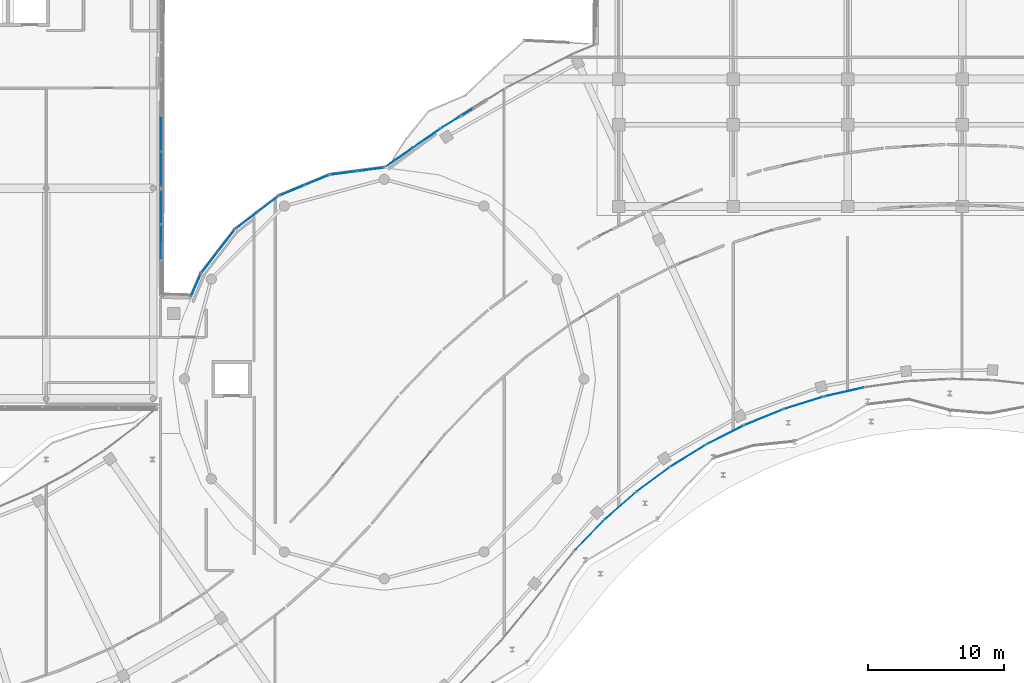
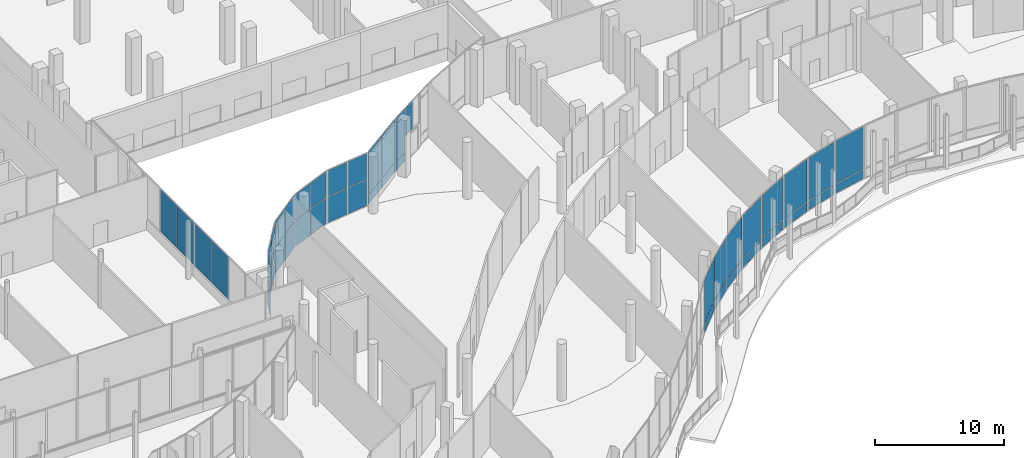
# One storey, part 126 of 158: 46 plates, 18 elements without a shape of their own.
"""IFC4 building model written with IfcOpenShell, lengths in metres."""

from ifc_helpers import new_model, si_unit, direction, frame, origin, origin_2d, place, context, subcontext, project, spatial, rectangle, extrude, material, layer, layer_set, type_object, element, aggregate, save


model = new_model("IFC4")

# Units and contexts
model_context = context("Model", 3, precision=1e-05, world=origin(), true_north=direction((0.0, 1.0)))
body_context = subcontext(model_context, "Body", "Model", "MODEL_VIEW")
ifc_project = project(units=[si_unit("LENGTHUNIT", "METRE"), si_unit("AREAUNIT", "SQUARE_METRE"), si_unit("VOLUMEUNIT", "CUBIC_METRE"), si_unit("PLANEANGLEUNIT", "RADIAN"), si_unit("MASSUNIT", "GRAM", prefix="KILO")], contexts=[model_context])

# Site, building, storey
site_placement = place(None, origin())
site = spatial("IfcSite", under=ifc_project, at=site_placement, CompositionType="ELEMENT")
building_placement = place(site_placement, origin())
building = spatial("IfcBuilding", under=site, at=building_placement, Name="Selatvlak General Hospital", CompositionType="ELEMENT")
storey_placement = place(building_placement, origin())
storey = spatial("IfcBuildingStorey", under=building, at=storey_placement, Name="L00", CompositionType="ELEMENT", Elevation=0.0)

# Curtain wall, plates
ifc_material = material(Name="Solar-control Low-E double glazing", Category="glass")
curtain_wall_type_1 = type_object("IfcCurtainWallType", Name="CW-CW-02", PredefinedType="USERDEFINED", material=ifc_material)
curtain_wall_1_placement = place(storey_placement, origin())
curtain_wall_1 = element("IfcCurtainWall", 1, at=curtain_wall_1_placement, inside=storey, type_object=curtain_wall_type_1, Name="Glazed facade curtain wall CW-L00-0034", ObjectType="UNITISED CURTAIN WALL", PredefinedType="USERDEFINED")
ifc_layer = layer(ifc_material, 0.028076171875, Name="Solar-control Low-E double glazing", Category="glass")
ifc_layer_set = layer_set([ifc_layer], Name="Solar-control Low-E double glazing")
plate_type = type_object("IfcPlateType", Name="CWP-01", PredefinedType="CURTAIN_PANEL", material=ifc_layer_set)
plate_1_placement = place(storey_placement, frame((131.739990234375, 53.0458984375, 0.06494140625), z_axis=(0.0, 0.0, 1.0), x_axis=(-0.975577961684, -0.219653455874, 0.0)))
plate_1 = element("IfcPlate", 2, at=plate_1_placement, type_object=plate_type, Name="CW-02 panel 1.1", PredefinedType="CURTAIN_PANEL", context=body_context, shape_type="SweptSolid", body=[
    extrude(rectangle(XDim=2.902099609375, YDim=0.028076171875, at=origin_2d()), origin(), (0.0, 0.0, 1.0), 0.8525390625),
])
plate_2_placement = place(storey_placement, frame((131.739990234375, 53.0458984375, 0.982421875), z_axis=(0.0, 0.0, 1.0), x_axis=(-0.975577961684, -0.219653455874, 0.0)))
plate_2 = element("IfcPlate", 3, at=plate_2_placement, type_object=plate_type, Name="CW-02 panel 1.2", PredefinedType="CURTAIN_PANEL", context=body_context, shape_type="SweptSolid", body=[
    extrude(rectangle(XDim=2.902099609375, YDim=0.028076171875, at=origin_2d()), origin(), (0.0, 0.0, 1.0), 4.032470703125),
])
aggregate(curtain_wall_1, [plate_1, plate_2])

curtain_wall_type_2 = type_object("IfcCurtainWallType", Name="CW-CW-01", PredefinedType="USERDEFINED", material=ifc_material)
curtain_wall_2_placement = place(storey_placement, origin())
curtain_wall_2 = element("IfcCurtainWall", 4, at=curtain_wall_2_placement, inside=storey, type_object=curtain_wall_type_2, Name="Glazed facade curtain wall CW-L00-0035", ObjectType="UNITISED CURTAIN WALL", PredefinedType="USERDEFINED")
plate_3_placement = place(storey_placement, frame((128.738525390625, 52.236083984375, 0.06494140625), z_axis=(0.0, 0.0, 1.0), x_axis=(-0.953861500511, -0.300246961422, 0.0)))
plate_3 = element("IfcPlate", 5, at=plate_3_placement, type_object=plate_type, Name="CW-01 panel 1.1", PredefinedType="CURTAIN_PANEL", context=body_context, shape_type="SweptSolid", body=[
    extrude(rectangle(XDim=2.90087890625, YDim=0.028076171875, at=origin_2d()), origin(), (0.0, 0.0, 1.0), 0.8525390625),
])
plate_4_placement = place(storey_placement, frame((128.738525390625, 52.236083984375, 0.982421875), z_axis=(0.0, 0.0, 1.0), x_axis=(-0.953861500511, -0.300246961422, 0.0)))
plate_4 = element("IfcPlate", 6, at=plate_4_placement, type_object=plate_type, Name="CW-01 panel 1.2", PredefinedType="CURTAIN_PANEL", context=body_context, shape_type="SweptSolid", body=[
    extrude(rectangle(XDim=2.90087890625, YDim=0.028076171875, at=origin_2d()), origin(), (0.0, 0.0, 1.0), 4.032470703125),
])
aggregate(curtain_wall_2, [plate_3, plate_4])

curtain_wall_3_placement = place(storey_placement, origin())
curtain_wall_3 = element("IfcCurtainWall", 7, at=curtain_wall_3_placement, inside=storey, type_object=curtain_wall_type_1, Name="Glazed facade curtain wall CW-L00-0036", ObjectType="UNITISED CURTAIN WALL", PredefinedType="USERDEFINED")
plate_5_placement = place(storey_placement, frame((125.8154296875, 51.178955078125, 0.06494140625), z_axis=(0.0, 0.0, 1.0), x_axis=(-0.925814669594, -0.377977773903, 0.0)))
plate_5 = element("IfcPlate", 8, at=plate_5_placement, type_object=plate_type, Name="CW-02 panel 1.1", PredefinedType="CURTAIN_PANEL", context=body_context, shape_type="SweptSolid", body=[
    extrude(rectangle(XDim=2.90185546875, YDim=0.028076171875, at=origin_2d()), origin(), (0.0, 0.0, 1.0), 0.8525390625),
])
plate_6_placement = place(storey_placement, frame((125.8154296875, 51.178955078125, 0.982421875), z_axis=(0.0, 0.0, 1.0), x_axis=(-0.925814669594, -0.377977773903, 0.0)))
plate_6 = element("IfcPlate", 9, at=plate_6_placement, type_object=plate_type, Name="CW-02 panel 1.2", PredefinedType="CURTAIN_PANEL", context=body_context, shape_type="SweptSolid", body=[
    extrude(rectangle(XDim=2.90185546875, YDim=0.028076171875, at=origin_2d()), origin(), (0.0, 0.0, 1.0), 4.032470703125),
])
aggregate(curtain_wall_3, [plate_5, plate_6])

curtain_wall_4_placement = place(storey_placement, origin())
curtain_wall_4 = element("IfcCurtainWall", 10, at=curtain_wall_4_placement, inside=storey, type_object=curtain_wall_type_2, Name="Glazed facade curtain wall CW-L00-0037", ObjectType="UNITISED CURTAIN WALL", PredefinedType="USERDEFINED")
plate_7_placement = place(storey_placement, frame((122.987548828125, 49.882568359375, 0.06494140625), z_axis=(0.0, 0.0, 1.0), x_axis=(-0.89144154077, -0.453135718509, 0.0)))
plate_7 = element("IfcPlate", 11, at=plate_7_placement, type_object=plate_type, Name="CW-01 panel 1.1", PredefinedType="CURTAIN_PANEL", context=body_context, shape_type="SweptSolid", body=[
    extrude(rectangle(XDim=2.904296875, YDim=0.028076171875, at=origin_2d()), origin(), (0.0, 0.0, 1.0), 0.8525390625),
])
plate_8_placement = place(storey_placement, frame((122.987548828125, 49.882568359375, 0.982421875), z_axis=(0.0, 0.0, 1.0), x_axis=(-0.89144154077, -0.453135718509, 0.0)))
plate_8 = element("IfcPlate", 12, at=plate_8_placement, type_object=plate_type, Name="CW-01 panel 1.2", PredefinedType="CURTAIN_PANEL", context=body_context, shape_type="SweptSolid", body=[
    extrude(rectangle(XDim=2.904296875, YDim=0.028076171875, at=origin_2d()), origin(), (0.0, 0.0, 1.0), 4.032470703125),
])
aggregate(curtain_wall_4, [plate_7, plate_8])

curtain_wall_5_placement = place(storey_placement, origin())
curtain_wall_5 = element("IfcCurtainWall", 13, at=curtain_wall_5_placement, inside=storey, type_object=curtain_wall_type_1, Name="Glazed facade curtain wall CW-L00-0038", ObjectType="UNITISED CURTAIN WALL", PredefinedType="USERDEFINED")
plate_9_placement = place(storey_placement, frame((120.277587890625, 48.35693359375, 0.06494140625), z_axis=(0.0, 0.0, 1.0), x_axis=(-0.850454986641, -0.526047826435, 0.0)))
plate_9 = element("IfcPlate", 14, at=plate_9_placement, type_object=plate_type, Name="CW-02 panel 1.1", PredefinedType="CURTAIN_PANEL", context=body_context, shape_type="SweptSolid", body=[
    extrude(rectangle(XDim=2.900146484375, YDim=0.028076171875, at=origin_2d()), origin(), (0.0, 0.0, 1.0), 0.8525390625),
])
plate_10_placement = place(storey_placement, frame((120.277587890625, 48.35693359375, 0.982421875), z_axis=(0.0, 0.0, 1.0), x_axis=(-0.850454986641, -0.526047826435, 0.0)))
plate_10 = element("IfcPlate", 15, at=plate_10_placement, type_object=plate_type, Name="CW-02 panel 1.2", PredefinedType="CURTAIN_PANEL", context=body_context, shape_type="SweptSolid", body=[
    extrude(rectangle(XDim=2.900146484375, YDim=0.028076171875, at=origin_2d()), origin(), (0.0, 0.0, 1.0), 4.032470703125),
])
aggregate(curtain_wall_5, [plate_9, plate_10])

curtain_wall_6_placement = place(storey_placement, origin())
curtain_wall_6 = element("IfcCurtainWall", 16, at=curtain_wall_6_placement, inside=storey, type_object=curtain_wall_type_2, Name="Glazed facade curtain wall CW-L00-0039", ObjectType="UNITISED CURTAIN WALL", PredefinedType="USERDEFINED")
plate_11_placement = place(storey_placement, frame((117.705078125, 46.611572265625, 0.06494140625), z_axis=(0.0, 0.0, 1.0), x_axis=(-0.804018477045, -0.594604312607, 0.0)))
plate_11 = element("IfcPlate", 17, at=plate_11_placement, type_object=plate_type, Name="CW-01 panel 1.1", PredefinedType="CURTAIN_PANEL", context=body_context, shape_type="SweptSolid", body=[
    extrude(rectangle(XDim=2.90234375, YDim=0.028076171875, at=origin_2d()), origin(), (0.0, 0.0, 1.0), 0.8525390625),
])
plate_12_placement = place(storey_placement, frame((117.705078125, 46.611572265625, 0.982421875), z_axis=(0.0, 0.0, 1.0), x_axis=(-0.804018477045, -0.594604312607, 0.0)))
plate_12 = element("IfcPlate", 18, at=plate_12_placement, type_object=plate_type, Name="CW-01 panel 1.2", PredefinedType="CURTAIN_PANEL", context=body_context, shape_type="SweptSolid", body=[
    extrude(rectangle(XDim=2.90234375, YDim=0.028076171875, at=origin_2d()), origin(), (0.0, 0.0, 1.0), 4.032470703125),
])
aggregate(curtain_wall_6, [plate_11, plate_12])

curtain_wall_7_placement = place(storey_placement, origin())
curtain_wall_7 = element("IfcCurtainWall", 19, at=curtain_wall_7_placement, inside=storey, type_object=curtain_wall_type_1, Name="Glazed facade curtain wall CW-L00-0040", ObjectType="UNITISED CURTAIN WALL", PredefinedType="USERDEFINED")
plate_13_placement = place(storey_placement, frame((115.284912109375, 44.659423828125, 0.06494140625), z_axis=(0.0, 0.0, 1.0), x_axis=(-0.752249587647, -0.658878257256, 0.0)))
plate_13 = element("IfcPlate", 20, at=plate_13_placement, type_object=plate_type, Name="CW-02 panel 1.1", PredefinedType="CURTAIN_PANEL", context=body_context, shape_type="SweptSolid", body=[
    extrude(rectangle(XDim=2.90087890625, YDim=0.028076171875, at=origin_2d()), origin(), (0.0, 0.0, 1.0), 0.8525390625),
])
plate_14_placement = place(storey_placement, frame((115.284912109375, 44.659423828125, 0.982421875), z_axis=(0.0, 0.0, 1.0), x_axis=(-0.752249587647, -0.658878257256, 0.0)))
plate_14 = element("IfcPlate", 21, at=plate_14_placement, type_object=plate_type, Name="CW-02 panel 1.2", PredefinedType="CURTAIN_PANEL", context=body_context, shape_type="SweptSolid", body=[
    extrude(rectangle(XDim=2.90087890625, YDim=0.028076171875, at=origin_2d()), origin(), (0.0, 0.0, 1.0), 4.032470703125),
])
aggregate(curtain_wall_7, [plate_13, plate_14])

curtain_wall_8_placement = place(storey_placement, origin())
curtain_wall_8 = element("IfcCurtainWall", 22, at=curtain_wall_8_placement, inside=storey, type_object=curtain_wall_type_2, Name="Glazed facade curtain wall CW-L00-0041", ObjectType="UNITISED CURTAIN WALL", PredefinedType="USERDEFINED")
plate_15_placement = place(storey_placement, frame((113.034912109375, 42.512939453125, 0.06494140625), z_axis=(0.0, 0.0, 1.0), x_axis=(-0.694806241805, -0.719196973261, 0.0)))
plate_15 = element("IfcPlate", 23, at=plate_15_placement, type_object=plate_type, Name="CW-01 panel 1.1", PredefinedType="CURTAIN_PANEL", context=body_context, shape_type="SweptSolid", body=[
    extrude(rectangle(XDim=2.904052734375, YDim=0.028076171875, at=origin_2d()), origin(), (0.0, 0.0, 1.0), 0.8525390625),
])
plate_16_placement = place(storey_placement, frame((113.034912109375, 42.512939453125, 0.982421875), z_axis=(0.0, 0.0, 1.0), x_axis=(-0.694806241805, -0.719196973261, 0.0)))
plate_16 = element("IfcPlate", 24, at=plate_16_placement, type_object=plate_type, Name="CW-01 panel 1.2", PredefinedType="CURTAIN_PANEL", context=body_context, shape_type="SweptSolid", body=[
    extrude(rectangle(XDim=2.904052734375, YDim=0.028076171875, at=origin_2d()), origin(), (0.0, 0.0, 1.0), 4.032470703125),
])
aggregate(curtain_wall_8, [plate_15, plate_16])

curtain_wall_type_3 = type_object("IfcCurtainWallType", Name="CW-CW-05", PredefinedType="USERDEFINED", material=ifc_material)
curtain_wall_9_placement = place(storey_placement, origin())
curtain_wall_9 = element("IfcCurtainWall", 25, at=curtain_wall_9_placement, inside=storey, type_object=curtain_wall_type_3, Name="Glazed facade curtain wall CW-L00-0094", ObjectType="STICK GLAZING WALL", PredefinedType="USERDEFINED")
plate_17_placement = place(storey_placement, frame((84.194091796875, 60.87451171875, 0.06494140625), z_axis=(0.0, 0.0, 1.0), x_axis=(0.400399817754, 0.916340540379, 0.0)))
plate_17 = element("IfcPlate", 26, at=plate_17_placement, type_object=plate_type, Name="CW-05 panel 1.1", PredefinedType="CURTAIN_PANEL", context=body_context, shape_type="SweptSolid", body=[
    extrude(rectangle(XDim=1.748046875, YDim=0.028076171875, at=origin_2d()), origin(), (0.0, 0.0, 1.0), 2.4423828125),
])
plate_18_placement = place(storey_placement, frame((84.194091796875, 60.87451171875, 2.572509765625), z_axis=(0.0, 0.0, 1.0), x_axis=(0.400399817754, 0.916340540379, 0.0)))
plate_18 = element("IfcPlate", 27, at=plate_18_placement, type_object=plate_type, Name="CW-05 panel 1.2", PredefinedType="CURTAIN_PANEL", context=body_context, shape_type="SweptSolid", body=[
    extrude(rectangle(XDim=1.748046875, YDim=0.028076171875, at=origin_2d()), origin(), (0.0, 0.0, 1.0), 2.4423828125),
])
aggregate(curtain_wall_9, [plate_17, plate_18])

curtain_wall_type_4 = type_object("IfcCurtainWallType", Name="CW-CW-04", PredefinedType="USERDEFINED", material=ifc_material)
curtain_wall_10_placement = place(storey_placement, origin())
curtain_wall_10 = element("IfcCurtainWall", 28, at=curtain_wall_10_placement, inside=storey, type_object=curtain_wall_type_4, Name="Glazed facade curtain wall CW-L00-0095", ObjectType="STICK GLAZING WALL", PredefinedType="USERDEFINED")
plate_19_placement = place(storey_placement, frame((85.228759765625, 62.600341796875, 0.06494140625), z_axis=(0.0, 0.0, 1.0), x_axis=(0.608918417743, 0.793232853917, 0.0)))
plate_19 = element("IfcPlate", 29, at=plate_19_placement, type_object=plate_type, Name="CW-04 panel 1.1", PredefinedType="CURTAIN_PANEL", context=body_context, shape_type="SweptSolid", body=[
    extrude(rectangle(XDim=1.885498046875, YDim=0.028076171875, at=origin_2d()), origin(), (0.0, 0.0, 1.0), 2.4423828125),
])
plate_20_placement = place(storey_placement, frame((85.228759765625, 62.600341796875, 2.572509765625), z_axis=(0.0, 0.0, 1.0), x_axis=(0.608918417743, 0.793232853917, 0.0)))
plate_20 = element("IfcPlate", 30, at=plate_20_placement, type_object=plate_type, Name="CW-04 panel 1.2", PredefinedType="CURTAIN_PANEL", context=body_context, shape_type="SweptSolid", body=[
    extrude(rectangle(XDim=1.885498046875, YDim=0.028076171875, at=origin_2d()), origin(), (0.0, 0.0, 1.0), 2.4423828125),
])
plate_21_placement = place(storey_placement, frame((86.416259765625, 64.147705078125, 0.06494140625), z_axis=(0.0, 0.0, 1.0), x_axis=(0.608918417743, 0.793232853917, 0.0)))
plate_21 = element("IfcPlate", 31, at=plate_21_placement, type_object=plate_type, Name="CW-04 panel 2.1", PredefinedType="CURTAIN_PANEL", context=body_context, shape_type="SweptSolid", body=[
    extrude(rectangle(XDim=1.885498046875, YDim=0.028076171875, at=origin_2d()), origin(), (0.0, 0.0, 1.0), 2.4423828125),
])
plate_22_placement = place(storey_placement, frame((86.416259765625, 64.147705078125, 2.572509765625), z_axis=(0.0, 0.0, 1.0), x_axis=(0.608918417743, 0.793232853917, 0.0)))
plate_22 = element("IfcPlate", 32, at=plate_22_placement, type_object=plate_type, Name="CW-04 panel 2.2", PredefinedType="CURTAIN_PANEL", context=body_context, shape_type="SweptSolid", body=[
    extrude(rectangle(XDim=1.885498046875, YDim=0.028076171875, at=origin_2d()), origin(), (0.0, 0.0, 1.0), 2.4423828125),
])
aggregate(curtain_wall_10, [plate_19, plate_20, plate_21, plate_22])

curtain_wall_11_placement = place(storey_placement, origin())
curtain_wall_11 = element("IfcCurtainWall", 33, at=curtain_wall_11_placement, inside=storey, type_object=curtain_wall_type_3, Name="Glazed facade curtain wall CW-L00-0096", ObjectType="STICK GLAZING WALL", PredefinedType="USERDEFINED")
plate_23_placement = place(storey_placement, frame((87.890380859375, 65.611572265625, 0.06494140625), z_axis=(0.0, 0.0, 1.0), x_axis=(0.793232853917, 0.608918417743, 0.0)))
plate_23 = element("IfcPlate", 34, at=plate_23_placement, type_object=plate_type, Name="CW-05 panel 1.1", PredefinedType="CURTAIN_PANEL", context=body_context, shape_type="SweptSolid", body=[
    extrude(rectangle(XDim=1.885498046875, YDim=0.028076171875, at=origin_2d()), origin(), (0.0, 0.0, 1.0), 2.4423828125),
])
plate_24_placement = place(storey_placement, frame((87.890380859375, 65.611572265625, 2.572509765625), z_axis=(0.0, 0.0, 1.0), x_axis=(0.793232853917, 0.608918417743, 0.0)))
plate_24 = element("IfcPlate", 35, at=plate_24_placement, type_object=plate_type, Name="CW-05 panel 1.2", PredefinedType="CURTAIN_PANEL", context=body_context, shape_type="SweptSolid", body=[
    extrude(rectangle(XDim=1.885498046875, YDim=0.028076171875, at=origin_2d()), origin(), (0.0, 0.0, 1.0), 2.4423828125),
])
plate_25_placement = place(storey_placement, frame((89.4375, 66.79931640625, 0.06494140625), z_axis=(0.0, 0.0, 1.0), x_axis=(0.793232853917, 0.608918417743, 0.0)))
plate_25 = element("IfcPlate", 36, at=plate_25_placement, type_object=plate_type, Name="CW-05 panel 2.1", PredefinedType="CURTAIN_PANEL", context=body_context, shape_type="SweptSolid", body=[
    extrude(rectangle(XDim=1.885498046875, YDim=0.028076171875, at=origin_2d()), origin(), (0.0, 0.0, 1.0), 2.4423828125),
])
plate_26_placement = place(storey_placement, frame((89.4375, 66.79931640625, 2.572509765625), z_axis=(0.0, 0.0, 1.0), x_axis=(0.793232853917, 0.608918417743, 0.0)))
plate_26 = element("IfcPlate", 37, at=plate_26_placement, type_object=plate_type, Name="CW-05 panel 2.2", PredefinedType="CURTAIN_PANEL", context=body_context, shape_type="SweptSolid", body=[
    extrude(rectangle(XDim=1.885498046875, YDim=0.028076171875, at=origin_2d()), origin(), (0.0, 0.0, 1.0), 2.4423828125),
])
aggregate(curtain_wall_11, [plate_23, plate_24, plate_25, plate_26])

curtain_wall_12_placement = place(storey_placement, origin())
curtain_wall_12 = element("IfcCurtainWall", 38, at=curtain_wall_12_placement, inside=storey, type_object=curtain_wall_type_4, Name="Glazed facade curtain wall CW-L00-0097", ObjectType="STICK GLAZING WALL", PredefinedType="USERDEFINED")
plate_27_placement = place(storey_placement, frame((91.239990234375, 67.832763671875, 0.06494140625), z_axis=(0.0, 0.0, 1.0), x_axis=(0.923850868847, 0.382752625243, 0.0)))
plate_27 = element("IfcPlate", 39, at=plate_27_placement, type_object=plate_type, Name="CW-04 panel 1.1", PredefinedType="CURTAIN_PANEL", context=body_context, shape_type="SweptSolid", body=[
    extrude(rectangle(XDim=1.885498046875, YDim=0.028076171875, at=origin_2d()), origin(), (0.0, 0.0, 1.0), 2.4423828125),
])
plate_28_placement = place(storey_placement, frame((91.239990234375, 67.832763671875, 2.572509765625), z_axis=(0.0, 0.0, 1.0), x_axis=(0.923850868847, 0.382752625243, 0.0)))
plate_28 = element("IfcPlate", 40, at=plate_28_placement, type_object=plate_type, Name="CW-04 panel 1.2", PredefinedType="CURTAIN_PANEL", context=body_context, shape_type="SweptSolid", body=[
    extrude(rectangle(XDim=1.885498046875, YDim=0.028076171875, at=origin_2d()), origin(), (0.0, 0.0, 1.0), 2.4423828125),
])
plate_29_placement = place(storey_placement, frame((93.0419921875, 68.579345703125, 0.06494140625), z_axis=(0.0, 0.0, 1.0), x_axis=(0.923850868847, 0.382752625243, 0.0)))
plate_29 = element("IfcPlate", 41, at=plate_29_placement, type_object=plate_type, Name="CW-04 panel 2.1", PredefinedType="CURTAIN_PANEL", context=body_context, shape_type="SweptSolid", body=[
    extrude(rectangle(XDim=1.885498046875, YDim=0.028076171875, at=origin_2d()), origin(), (0.0, 0.0, 1.0), 2.4423828125),
])
plate_30_placement = place(storey_placement, frame((93.0419921875, 68.579345703125, 2.572509765625), z_axis=(0.0, 0.0, 1.0), x_axis=(0.923850868847, 0.382752625243, 0.0)))
plate_30 = element("IfcPlate", 42, at=plate_30_placement, type_object=plate_type, Name="CW-04 panel 2.2", PredefinedType="CURTAIN_PANEL", context=body_context, shape_type="SweptSolid", body=[
    extrude(rectangle(XDim=1.885498046875, YDim=0.028076171875, at=origin_2d()), origin(), (0.0, 0.0, 1.0), 2.4423828125),
])
aggregate(curtain_wall_12, [plate_27, plate_28, plate_29, plate_30])

curtain_wall_13_placement = place(storey_placement, origin())
curtain_wall_13 = element("IfcCurtainWall", 43, at=curtain_wall_13_placement, inside=storey, type_object=curtain_wall_type_3, Name="Glazed facade curtain wall CW-L00-0098", ObjectType="STICK GLAZING WALL", PredefinedType="USERDEFINED")
plate_31_placement = place(storey_placement, frame((95.051025390625, 69.111572265625, 0.06494140625), z_axis=(0.0, 0.0, 1.0), x_axis=(0.991433685916, 0.130611050186, 0.0)))
plate_31 = element("IfcPlate", 44, at=plate_31_placement, type_object=plate_type, Name="CW-05 panel 1.1", PredefinedType="CURTAIN_PANEL", context=body_context, shape_type="SweptSolid", body=[
    extrude(rectangle(XDim=1.885498046875, YDim=0.028076171875, at=origin_2d()), origin(), (0.0, 0.0, 1.0), 2.4423828125),
])
plate_32_placement = place(storey_placement, frame((95.051025390625, 69.111572265625, 2.572509765625), z_axis=(0.0, 0.0, 1.0), x_axis=(0.991433685916, 0.130611050186, 0.0)))
plate_32 = element("IfcPlate", 45, at=plate_32_placement, type_object=plate_type, Name="CW-05 panel 1.2", PredefinedType="CURTAIN_PANEL", context=body_context, shape_type="SweptSolid", body=[
    extrude(rectangle(XDim=1.885498046875, YDim=0.028076171875, at=origin_2d()), origin(), (0.0, 0.0, 1.0), 2.4423828125),
])
plate_33_placement = place(storey_placement, frame((96.98486328125, 69.366455078125, 0.06494140625), z_axis=(0.0, 0.0, 1.0), x_axis=(0.991433685916, 0.130611050186, 0.0)))
plate_33 = element("IfcPlate", 46, at=plate_33_placement, type_object=plate_type, Name="CW-05 panel 2.1", PredefinedType="CURTAIN_PANEL", context=body_context, shape_type="SweptSolid", body=[
    extrude(rectangle(XDim=1.885498046875, YDim=0.028076171875, at=origin_2d()), origin(), (0.0, 0.0, 1.0), 2.4423828125),
])
plate_34_placement = place(storey_placement, frame((96.98486328125, 69.366455078125, 2.572509765625), z_axis=(0.0, 0.0, 1.0), x_axis=(0.991433685916, 0.130611050186, 0.0)))
plate_34 = element("IfcPlate", 47, at=plate_34_placement, type_object=plate_type, Name="CW-05 panel 2.2", PredefinedType="CURTAIN_PANEL", context=body_context, shape_type="SweptSolid", body=[
    extrude(rectangle(XDim=1.885498046875, YDim=0.028076171875, at=origin_2d()), origin(), (0.0, 0.0, 1.0), 2.4423828125),
])
aggregate(curtain_wall_13, [plate_31, plate_32, plate_33, plate_34])

curtain_wall_14_placement = place(storey_placement, origin())
curtain_wall_14 = element("IfcCurtainWall", 48, at=curtain_wall_14_placement, inside=storey, type_object=curtain_wall_type_2, Name="Glazed facade curtain wall CW-L00-0099", ObjectType="UNITISED CURTAIN WALL", PredefinedType="USERDEFINED")
plate_35_placement = place(storey_placement, frame((99.087158203125, 70.258056640625, 0.06494140625), z_axis=(0.0, 0.0, 1.0), x_axis=(0.820917483526, 0.571046832792, 0.0)))
plate_35 = element("IfcPlate", 49, at=plate_35_placement, type_object=plate_type, Name="CW-01 panel 1.1", PredefinedType="CURTAIN_PANEL", context=body_context, shape_type="SweptSolid", body=[
    extrude(rectangle(XDim=2.391845703125, YDim=0.028076171875, at=origin_2d()), origin(), (0.0, 0.0, 1.0), 0.8525390625),
])
plate_36_placement = place(storey_placement, frame((99.087158203125, 70.258056640625, 0.982421875), z_axis=(0.0, 0.0, 1.0), x_axis=(0.820917483526, 0.571046832792, 0.0)))
plate_36 = element("IfcPlate", 50, at=plate_36_placement, type_object=plate_type, Name="CW-01 panel 1.2", PredefinedType="CURTAIN_PANEL", context=body_context, shape_type="SweptSolid", body=[
    extrude(rectangle(XDim=2.391845703125, YDim=0.028076171875, at=origin_2d()), origin(), (0.0, 0.0, 1.0), 4.032470703125),
])
plate_37_placement = place(storey_placement, frame((101.10400390625, 71.660888671875, 0.06494140625), z_axis=(0.0, 0.0, 1.0), x_axis=(0.820917483526, 0.571046832792, 0.0)))
plate_37 = element("IfcPlate", 51, at=plate_37_placement, type_object=plate_type, Name="CW-01 panel 2.1", PredefinedType="CURTAIN_PANEL", context=body_context, shape_type="SweptSolid", body=[
    extrude(rectangle(XDim=2.391845703125, YDim=0.028076171875, at=origin_2d()), origin(), (0.0, 0.0, 1.0), 0.8525390625),
])
plate_38_placement = place(storey_placement, frame((101.10400390625, 71.660888671875, 0.982421875), z_axis=(0.0, 0.0, 1.0), x_axis=(0.820917483526, 0.571046832792, 0.0)))
plate_38 = element("IfcPlate", 52, at=plate_38_placement, type_object=plate_type, Name="CW-01 panel 2.2", PredefinedType="CURTAIN_PANEL", context=body_context, shape_type="SweptSolid", body=[
    extrude(rectangle(XDim=2.391845703125, YDim=0.028076171875, at=origin_2d()), origin(), (0.0, 0.0, 1.0), 4.032470703125),
])
aggregate(curtain_wall_14, [plate_35, plate_36, plate_37, plate_38])

# Curtain wall, plate
curtain_wall_15_placement = place(storey_placement, origin())
curtain_wall_15 = element("IfcCurtainWall", 53, at=curtain_wall_15_placement, inside=storey, type_object=curtain_wall_type_1, Name="Glazed facade curtain wall CW-L00-0100", ObjectType="UNITISED CURTAIN WALL", PredefinedType="USERDEFINED")
plate_39_placement = place(storey_placement, frame((104.0654296875, 73.572998046875, 2.385009765625), z_axis=(0.0, 0.0, 1.0), x_axis=(0.850415359562, 0.526111885649, 0.0)))
plate_39 = element("IfcPlate", 54, at=plate_39_placement, type_object=plate_type, Name="CW-02 panel 1.1", PredefinedType="CURTAIN_PANEL", context=body_context, shape_type="SweptSolid", body=[
    extrude(rectangle(XDim=1.037353515625, YDim=0.028076171875, at=origin_2d()), origin(), (0.0, 0.0, 1.0), 2.6298828125),
])
aggregate(curtain_wall_15, [plate_39])

# Curtain wall, plates
curtain_wall_16_placement = place(storey_placement, origin())
curtain_wall_16 = element("IfcCurtainWall", 55, at=curtain_wall_16_placement, inside=storey, type_object=curtain_wall_type_2, Name="Glazed facade curtain wall CW-L00-0101", ObjectType="UNITISED CURTAIN WALL", PredefinedType="USERDEFINED")
plate_40_placement = place(storey_placement, frame((102.875, 72.8369140625, 0.06494140625), z_axis=(0.0, 0.0, 1.0), x_axis=(0.850563504569, 0.525872346387, 0.0)))
plate_40 = element("IfcPlate", 56, at=plate_40_placement, type_object=plate_type, Name="CW-01 panel 1.1", PredefinedType="CURTAIN_PANEL", context=body_context, shape_type="SweptSolid", body=[
    extrude(rectangle(XDim=1.440673828125, YDim=0.028076171875, at=origin_2d()), origin(), (0.0, 0.0, 1.0), 0.802490234375),
])
plate_41_placement = place(storey_placement, frame((102.875, 72.8369140625, 0.9326171875), z_axis=(0.0, 0.0, 1.0), x_axis=(0.850563504569, 0.525872346387, 0.0)))
plate_41 = element("IfcPlate", 57, at=plate_41_placement, type_object=plate_type, Name="CW-01 panel 1.2", PredefinedType="CURTAIN_PANEL", context=body_context, shape_type="SweptSolid", body=[
    extrude(rectangle(XDim=1.440673828125, YDim=0.028076171875, at=origin_2d()), origin(), (0.0, 0.0, 1.0), 3.465087890625),
])
plate_42_placement = place(storey_placement, frame((102.875, 72.8369140625, 4.46240234375), z_axis=(0.0, 0.0, 1.0), x_axis=(0.850563504569, 0.525872346387, 0.0)))
plate_42 = element("IfcPlate", 58, at=plate_42_placement, type_object=plate_type, Name="CW-01 panel 1.3", PredefinedType="CURTAIN_PANEL", context=body_context, shape_type="SweptSolid", body=[
    extrude(rectangle(XDim=1.440673828125, YDim=0.028076171875, at=origin_2d()), origin(), (0.0, 0.0, 1.0), 0.552490234375),
])
aggregate(curtain_wall_16, [plate_40, plate_41, plate_42])

curtain_wall_17_placement = place(storey_placement, origin())
curtain_wall_17 = element("IfcCurtainWall", 59, at=curtain_wall_17_placement, inside=storey, type_object=curtain_wall_type_2, Name="Glazed facade curtain wall CW-L00-0106", ObjectType="UNITISED CURTAIN WALL", PredefinedType="USERDEFINED")
plate_43_placement = place(storey_placement, frame((81.6298828125, 72.0048828125, 1.0048828125), z_axis=(0.0, 0.0, 1.0), x_axis=(-0.002531637448, -0.999996795401, 0.0)))
plate_43 = element("IfcPlate", 60, at=plate_43_placement, type_object=plate_type, Name="CW-01 panel 2.1", PredefinedType="CURTAIN_PANEL", context=body_context, shape_type="SweptSolid", body=[
    extrude(rectangle(XDim=2.568359375, YDim=0.028076171875, at=origin_2d()), origin(), (0.0, 0.0, 1.0), 4.010009765625),
])
plate_44_placement = place(storey_placement, frame((81.623291015625, 69.387939453125, 1.0048828125), z_axis=(0.0, 0.0, 1.0), x_axis=(-0.002531637448, -0.999996795401, 0.0)))
plate_44 = element("IfcPlate", 61, at=plate_44_placement, type_object=plate_type, Name="CW-01 panel 3.1", PredefinedType="CURTAIN_PANEL", context=body_context, shape_type="SweptSolid", body=[
    extrude(rectangle(XDim=2.535888671875, YDim=0.028076171875, at=origin_2d()), origin(), (0.0, 0.0, 1.0), 4.010009765625),
])
aggregate(curtain_wall_17, [plate_43, plate_44])

curtain_wall_18_placement = place(storey_placement, origin())
curtain_wall_18 = element("IfcCurtainWall", 62, at=curtain_wall_18_placement, inside=storey, type_object=curtain_wall_type_1, Name="Glazed facade curtain wall CW-L00-0107", ObjectType="UNITISED CURTAIN WALL", PredefinedType="USERDEFINED")
plate_45_placement = place(storey_placement, frame((81.61669921875, 66.64208984375, 1.0048828125), z_axis=(0.0, 0.0, 1.0), x_axis=(-0.002531637448, -0.999996795401, 0.0)))
plate_45 = element("IfcPlate", 63, at=plate_45_placement, type_object=plate_type, Name="CW-02 panel 1.1", PredefinedType="CURTAIN_PANEL", context=body_context, shape_type="SweptSolid", body=[
    extrude(rectangle(XDim=2.535888671875, YDim=0.028076171875, at=origin_2d()), origin(), (0.0, 0.0, 1.0), 4.010009765625),
])
plate_46_placement = place(storey_placement, frame((81.610107421875, 64.02490234375, 1.0048828125), z_axis=(0.0, 0.0, 1.0), x_axis=(-0.002531637448, -0.999996795401, 0.0)))
plate_46 = element("IfcPlate", 64, at=plate_46_placement, type_object=plate_type, Name="CW-02 panel 2.1", PredefinedType="CURTAIN_PANEL", context=body_context, shape_type="SweptSolid", body=[
    extrude(rectangle(XDim=2.568359375, YDim=0.028076171875, at=origin_2d()), origin(), (0.0, 0.0, 1.0), 4.010009765625),
])
aggregate(curtain_wall_18, [plate_45, plate_46])

save(model, "model.ifc")
